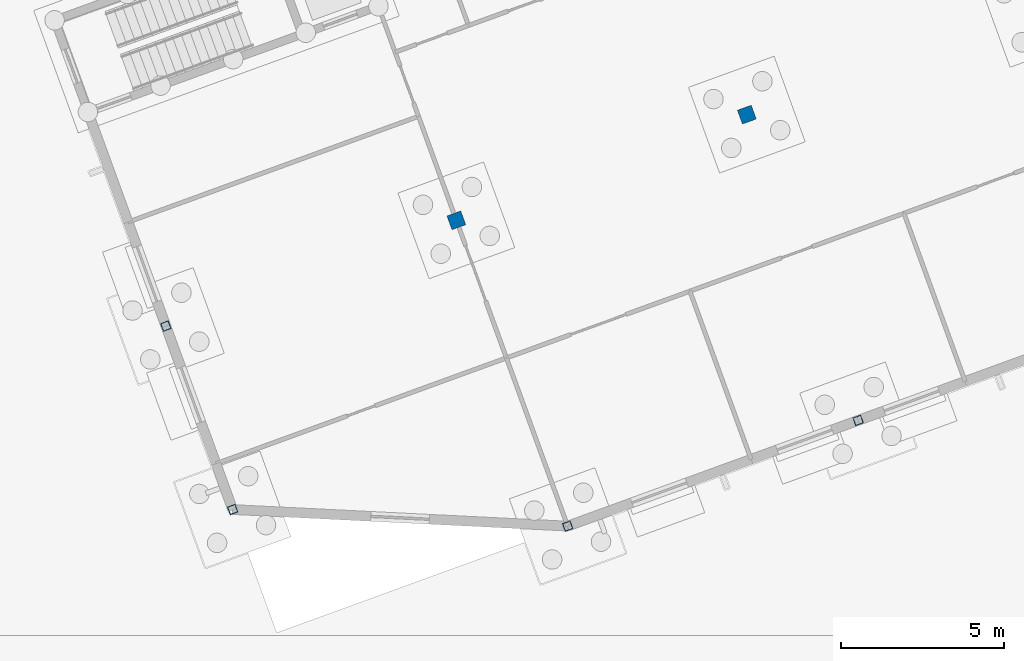
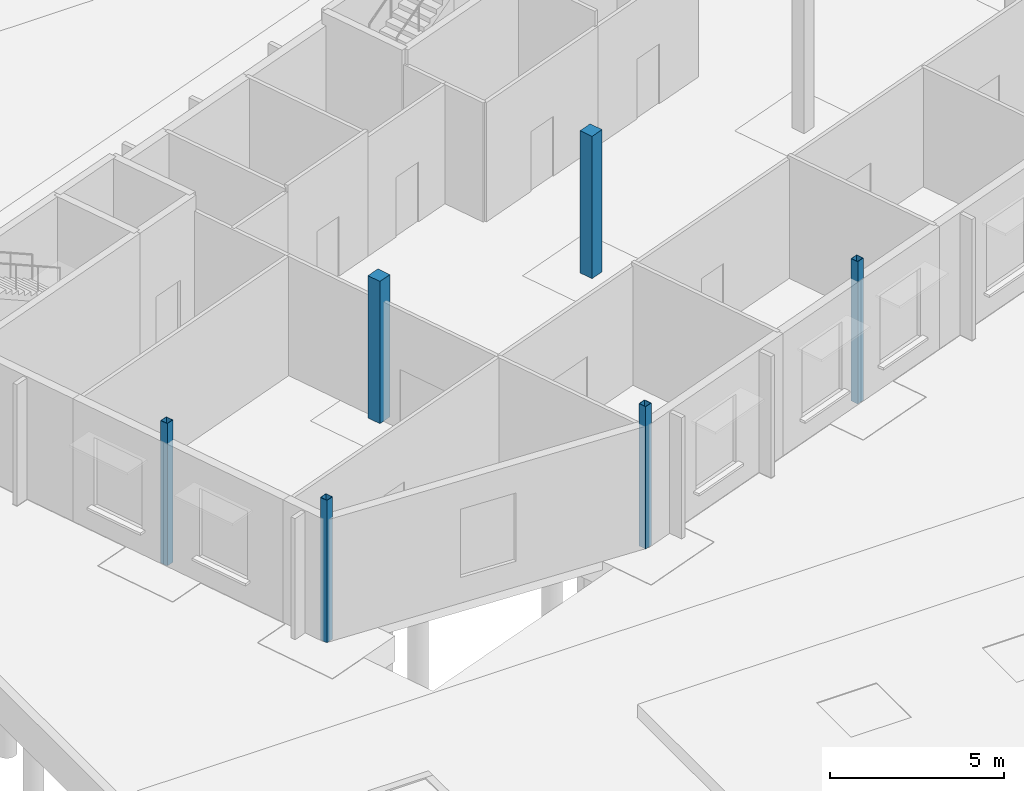
# One storey, part 12 of 157: 6 columns.
"""IFC4 building model written with IfcOpenShell, lengths in metres."""

from ifc_helpers import new_model, si_unit, direction, frame, origin, origin_2d, place, context, subcontext, project, spatial, rectangle, hollow_rectangle, extrude, material, material_profile, profile_set, type_object, element, save


model = new_model("IFC4")

# Units and contexts
model_context = context("Model", 3, precision=1e-05, world=origin(), true_north=direction((0.0, 1.0)))
body_context = subcontext(model_context, "Body", "Model", "MODEL_VIEW")
ifc_project = project(units=[si_unit("LENGTHUNIT", "METRE"), si_unit("AREAUNIT", "SQUARE_METRE"), si_unit("VOLUMEUNIT", "CUBIC_METRE"), si_unit("PLANEANGLEUNIT", "RADIAN"), si_unit("MASSUNIT", "GRAM", prefix="KILO")], contexts=[model_context])

# Site, building, storey
site_placement = place(None, origin())
site = spatial("IfcSite", under=ifc_project, at=site_placement, CompositionType="ELEMENT")
building_placement = place(site_placement, origin())
building = spatial("IfcBuilding", under=site, at=building_placement, Name="Windward Yard Aquatics Centre", CompositionType="ELEMENT")
storey_placement = place(building_placement, origin())
storey = spatial("IfcBuildingStorey", under=building, at=storey_placement, Name="L00", CompositionType="ELEMENT", Elevation=0.0)

# Columns
ifc_material_1 = material(Name="Steel S355", Category="steel")
ifc_material_profile_1 = material_profile(ifc_material_1, hollow_rectangle(XDim=0.25390625, YDim=0.25390625, WallThickness=0.01171875, at=origin_2d()), Name="HSS254x254x12.7")
ifc_profile_set_1 = profile_set([ifc_material_profile_1], Name="Steel S355")
column_type_1 = type_object("IfcColumnType", Name="F HSS254x254x12.7 column", PredefinedType="COLUMN", material=ifc_profile_set_1)
for number, where, z_axis, x_axis, name in (
    (1, (10.197998046875, 79.863525390625, 0.0), (0.0, 0.0, 1.0), (0.939692620786, 0.342020143326, 0.0), "F.COL.L00.01"),
    (2, (20.4931640625, 79.35400390625, 0.0), (0.0, 0.0, 1.0), (0.939692620786, 0.342020143326, 0.0), "F.COL.L00.02"),
    (3, (29.420166015625, 82.60302734375, 0.0), (0.0, 0.0, 1.0), (0.939692620786, 0.342020143326, 0.0), "F.COL.L00.03"),
    (4, (8.145751953125, 85.501708984375, 0.0), (0.0, 0.0, 1.0), (0.939692620786, 0.342020143326, 0.0), "F.COL.L00.08"),
):
    element("IfcColumn", number, at=place(storey_placement, frame(where, z_axis=z_axis, x_axis=x_axis)), inside=storey, type_object=column_type_1, Name=name, PredefinedType="COLUMN", context=body_context, shape_type="SweptSolid", body=[
        extrude(hollow_rectangle(XDim=0.25390625, YDim=0.25390625, WallThickness=0.01171875, at=origin_2d()), origin(), (0.0, 0.0, 1.0), 5.0),
    ])
ifc_material_2 = material(Name="Concrete C40/50", Category="concrete")
ifc_material_profile_2 = material_profile(ifc_material_2, rectangle(XDim=0.449951171875, YDim=0.449951171875, at=origin_2d()), Name="RC 450x450")
ifc_profile_set_2 = profile_set([ifc_material_profile_2], Name="Concrete C40/50")
column_type_2 = type_object("IfcColumnType", Name="F RC 450x450 column Concrete C40/50", PredefinedType="COLUMN", material=ifc_profile_set_2)
for number, where, z_axis, x_axis, name in (
    (5, (17.072998046875, 88.750732421875, 0.0), (0.0, 0.0, 1.0), (0.939692620786, 0.342020143326, 0.0), "F.COL.L00.09"),
    (6, (26.0, 92.0, 0.0), (0.0, 0.0, 1.0), (0.939692620786, 0.342020143326, 0.0), "F.COL.L00.10"),
):
    element("IfcColumn", number, at=place(storey_placement, frame(where, z_axis=z_axis, x_axis=x_axis)), inside=storey, type_object=column_type_2, Name=name, PredefinedType="COLUMN", context=body_context, shape_type="SweptSolid", body=[
        extrude(rectangle(XDim=0.449951171875, YDim=0.449951171875, at=origin_2d()), origin(), (0.0, 0.0, 1.0), 5.0),
    ])

save(model, "model.ifc")
